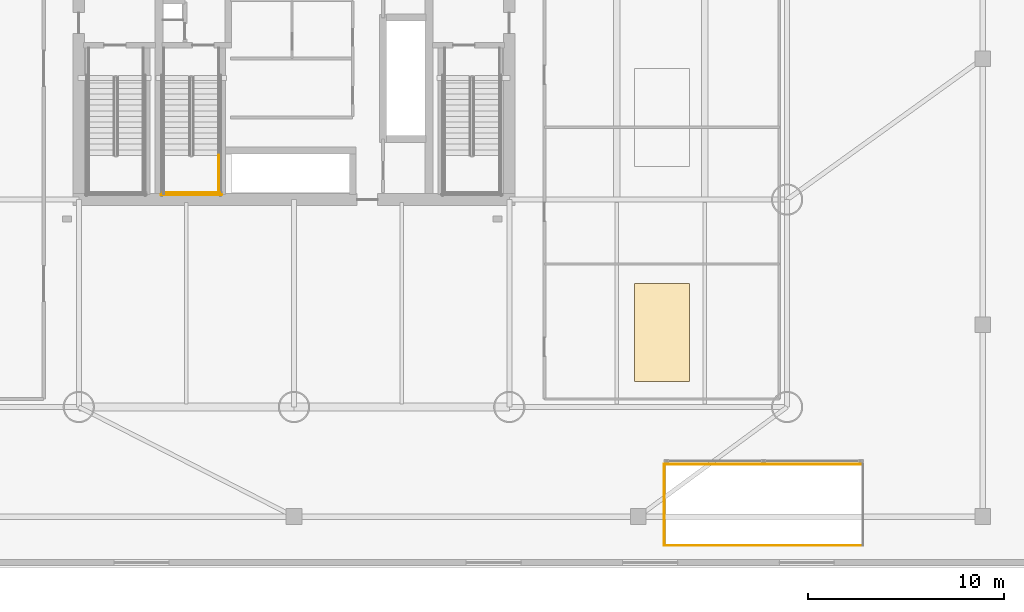
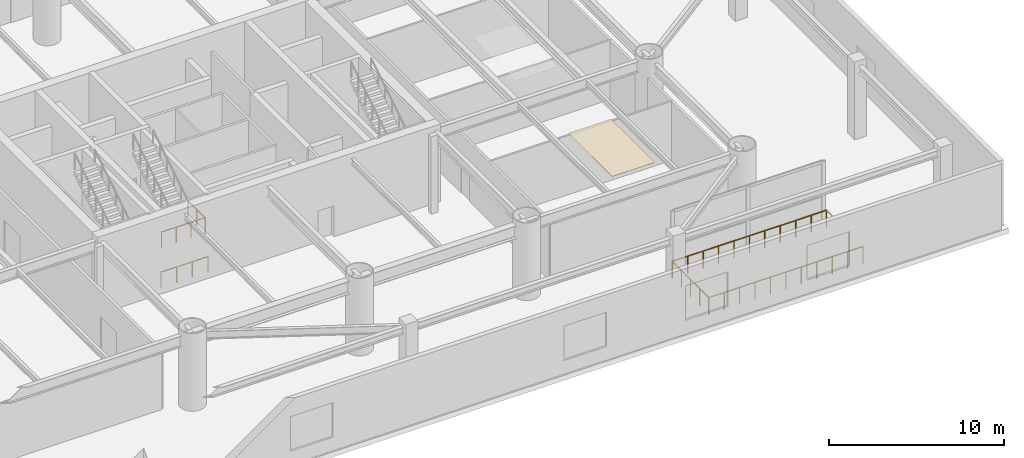
# One storey, part 12 of 16: 6 railings, 1 covering.
"""IFC4 building model written with IfcOpenShell, lengths in metres."""

from ifc_helpers import new_model, si_unit, direction, frame, origin, origin_2d, place, context, subcontext, project, spatial, polyline, circle, outline, extrude, material, layer, layer_set, type_object, element, save


model = new_model("IFC4")

# Units and contexts
model_context = context("Model", 3, precision=1e-05, world=origin(), true_north=direction((0.0, 1.0)))
body_context = subcontext(model_context, "Body", "Model", "MODEL_VIEW")
ifc_project = project(units=[si_unit("LENGTHUNIT", "METRE"), si_unit("AREAUNIT", "SQUARE_METRE"), si_unit("VOLUMEUNIT", "CUBIC_METRE"), si_unit("PLANEANGLEUNIT", "RADIAN"), si_unit("MASSUNIT", "GRAM", prefix="KILO")], contexts=[model_context])

# Site, building, storey
site_placement = place(None, origin())
site = spatial("IfcSite", under=ifc_project, at=site_placement, CompositionType="ELEMENT")
building_placement = place(site_placement, origin())
building = spatial("IfcBuilding", under=site, at=building_placement, Name="Bramvorn Convention Spire", CompositionType="ELEMENT")
storey_placement = place(building_placement, frame((0.0, 0.0, 18.60009765625)))
storey = spatial("IfcBuildingStorey", under=building, at=storey_placement, Name="L03", CompositionType="ELEMENT", Elevation=18.60009765625)

# Covering
ifc_material_1 = material(Name="Micro-Perforated Mineral-Fibre Acoustic Ceiling Tile", Category="gypsum")
ifc_layer = layer(ifc_material_1, 0.02001953125)
ifc_layer_set = layer_set([ifc_layer], Name="Micro-Perforated Mineral-Fibre Acoustic Ceiling Tile - CLG-ACOUSTIC-20")
covering_type = type_object("IfcCoveringType", Name="CLG-ACOUSTIC-20", PredefinedType="CEILING", material=ifc_layer_set)
covering_placement = place(storey_placement, frame((0.0, 0.0, 5.02978515625)))
element("IfcCovering", 1, at=covering_placement, inside=storey, type_object=covering_type, Name="L03 Seminar acoustic tile ceiling 1", PredefinedType="CEILING", context=body_context, shape_type="SweptSolid", body=[
    extrude(outline(polyline([(55.39990234375, 9.5), (58.199951171875, 9.5), (58.199951171875, 14.5), (55.39990234375, 14.5), (55.39990234375, 9.5)])), origin(), (0.0, 0.0, 1.0), 0.02001953125),
])

# Railings
ifc_material_2 = material(Name="Warm Bronze Perforated Metal & Glass Balustrade", Category="glass")
railing_type_1 = type_object("IfcRailingType", Name="RL-POD-BALUSTRADE-1200", PredefinedType="BALUSTRADE", material=ifc_material_2)
railing_1_placement = place(storey_placement, frame((56.919921875, 1.1201171875, 0.0)))
element("IfcRailing", 2, at=railing_1_placement, inside=storey, type_object=railing_type_1, Name="L03 SE void perimeter balustrade side 1", PredefinedType="BALUSTRADE", context=body_context, shape_type="SweptSolid", body=[
    extrude(circle(Radius=0.02392578125, at=origin_2d()), frame((0.0, 0.0, 1.17578125), z_axis=(1.0, 0.0, 0.0), x_axis=(0.0, 1.0, 0.0)), (0.0, 0.0, 1.0), 10.16015625),
    extrude(circle(Radius=0.02099609375, at=origin_2d()), origin(), (0.0, 0.0, 1.0), 1.15185546875),
    extrude(circle(Radius=0.02099609375, at=origin_2d()), frame((1.01611328125, 0.0, 0.0)), (0.0, 0.0, 1.0), 1.15185546875),
    extrude(circle(Radius=0.02099609375, at=origin_2d()), frame((2.031982421875, 0.0, 0.0)), (0.0, 0.0, 1.0), 1.15185546875),
    extrude(circle(Radius=0.02099609375, at=origin_2d()), frame((3.048095703125, 0.0, 0.0)), (0.0, 0.0, 1.0), 1.15185546875),
    extrude(circle(Radius=0.02099609375, at=origin_2d()), frame((4.06396484375, 0.0, 0.0)), (0.0, 0.0, 1.0), 1.15185546875),
    extrude(circle(Radius=0.02099609375, at=origin_2d()), frame((5.080078125, 0.0, 0.0)), (0.0, 0.0, 1.0), 1.15185546875),
    extrude(circle(Radius=0.02099609375, at=origin_2d()), frame((6.09619140625, 0.0, 0.0)), (0.0, 0.0, 1.0), 1.15185546875),
    extrude(circle(Radius=0.02099609375, at=origin_2d()), frame((7.112060546875, 0.0, 0.0)), (0.0, 0.0, 1.0), 1.15185546875),
    extrude(circle(Radius=0.02099609375, at=origin_2d()), frame((8.128173828125, 0.0, 0.0)), (0.0, 0.0, 1.0), 1.15185546875),
    extrude(circle(Radius=0.02099609375, at=origin_2d()), frame((9.14404296875, 0.0, 0.0)), (0.0, 0.0, 1.0), 1.15185546875),
    extrude(circle(Radius=0.02099609375, at=origin_2d()), frame((10.16015625, 0.0, 0.0)), (0.0, 0.0, 1.0), 1.15185546875),
])
railing_2_placement = place(storey_placement, frame((67.080078125, 5.280029296875, 0.0)))
element("IfcRailing", 3, at=railing_2_placement, inside=storey, type_object=railing_type_1, Name="L03 SE void perimeter balustrade side 3", PredefinedType="BALUSTRADE", context=body_context, shape_type="SweptSolid", body=[
    extrude(circle(Radius=0.02392578125, at=origin_2d()), frame((0.0, 0.0, 1.17578125), z_axis=(-1.0, 0.0, 0.0), x_axis=(0.0, -1.0, 0.0)), (0.0, 0.0, 1.0), 10.16015625),
    extrude(circle(Radius=0.02099609375, at=origin_2d()), origin(), (0.0, 0.0, 1.0), 1.15185546875),
    extrude(circle(Radius=0.02099609375, at=origin_2d()), frame((-1.01611328125, 0.0, 0.0)), (0.0, 0.0, 1.0), 1.15185546875),
    extrude(circle(Radius=0.02099609375, at=origin_2d()), frame((-2.031982421875, 0.0, 0.0)), (0.0, 0.0, 1.0), 1.15185546875),
    extrude(circle(Radius=0.02099609375, at=origin_2d()), frame((-3.048095703125, 0.0, 0.0)), (0.0, 0.0, 1.0), 1.15185546875),
    extrude(circle(Radius=0.02099609375, at=origin_2d()), frame((-4.06396484375, 0.0, 0.0)), (0.0, 0.0, 1.0), 1.15185546875),
    extrude(circle(Radius=0.02099609375, at=origin_2d()), frame((-5.080078125, 0.0, 0.0)), (0.0, 0.0, 1.0), 1.15185546875),
    extrude(circle(Radius=0.02099609375, at=origin_2d()), frame((-6.09619140625, 0.0, 0.0)), (0.0, 0.0, 1.0), 1.15185546875),
    extrude(circle(Radius=0.02099609375, at=origin_2d()), frame((-7.112060546875, 0.0, 0.0)), (0.0, 0.0, 1.0), 1.15185546875),
    extrude(circle(Radius=0.02099609375, at=origin_2d()), frame((-8.128173828125, 0.0, 0.0)), (0.0, 0.0, 1.0), 1.15185546875),
    extrude(circle(Radius=0.02099609375, at=origin_2d()), frame((-9.14404296875, 0.0, 0.0)), (0.0, 0.0, 1.0), 1.15185546875),
    extrude(circle(Radius=0.02099609375, at=origin_2d()), frame((-10.16015625, 0.0, 0.0)), (0.0, 0.0, 1.0), 1.15185546875),
])
railing_3_placement = place(storey_placement, frame((56.919921875, 5.280029296875, 0.0)))
element("IfcRailing", 4, at=railing_3_placement, inside=storey, type_object=railing_type_1, Name="L03 SE void perimeter balustrade side 4", PredefinedType="BALUSTRADE", context=body_context, shape_type="SweptSolid", body=[
    extrude(circle(Radius=0.02392578125, at=origin_2d()), frame((0.0, 0.0, 1.17578125), z_axis=(0.0, -1.0, 0.0), x_axis=(1.0, 0.0, 0.0)), (0.0, 0.0, 1.0), 4.159912109375),
    extrude(circle(Radius=0.02099609375, at=origin_2d()), origin(), (0.0, 0.0, 1.0), 1.15185546875),
    extrude(circle(Radius=0.02099609375, at=origin_2d()), frame((0.0, -1.0400390625, 0.0)), (0.0, 0.0, 1.0), 1.15185546875),
    extrude(circle(Radius=0.02099609375, at=origin_2d()), frame((0.0, -2.080078125, 0.0)), (0.0, 0.0, 1.0), 1.15185546875),
    extrude(circle(Radius=0.02099609375, at=origin_2d()), frame((0.0, -3.119873046875, 0.0)), (0.0, 0.0, 1.0), 1.15185546875),
    extrude(circle(Radius=0.02099609375, at=origin_2d()), frame((0.0, -4.159912109375, 0.0)), (0.0, 0.0, 1.0), 1.15185546875),
])
ifc_material_3 = material(Name="Painted Steel Balustrade & Guardrail", Category="steel")
railing_type_2 = type_object("IfcRailingType", Name="RL-STAIR-GUARD-1100", PredefinedType="GUARDRAIL", material=ifc_material_3)
railing_4_placement = place(storey_placement, frame((34.14990234375, 21.06005859375, 2.699951171875)))
element("IfcRailing", 5, at=railing_4_placement, inside=storey, type_object=railing_type_2, Name="L03 ST3 stair guard 4", PredefinedType="GUARDRAIL", context=body_context, shape_type="SweptSolid", body=[
    extrude(circle(Radius=0.02392578125, at=origin_2d()), frame((0.0, 0.0, 1.076171875), z_axis=(0.0, -1.0, 0.0), x_axis=(1.0, 0.0, 0.0)), (0.0, 0.0, 1.0), 1.9599609375),
    extrude(circle(Radius=0.02099609375, at=origin_2d()), origin(), (0.0, 0.0, 1.0), 1.052001953125),
    extrude(circle(Radius=0.02099609375, at=origin_2d()), frame((0.0, -0.97998046875, 0.0)), (0.0, 0.0, 1.0), 1.052001953125),
    extrude(circle(Radius=0.02099609375, at=origin_2d()), frame((0.0, -1.9599609375, 0.0)), (0.0, 0.0, 1.0), 1.052001953125),
])
railing_5_placement = place(storey_placement, frame((31.300048828125, 19.14990234375, 2.699951171875)))
element("IfcRailing", 6, at=railing_5_placement, inside=storey, type_object=railing_type_2, Name="L03 ST3 stair guard 5", PredefinedType="GUARDRAIL", context=body_context, shape_type="SweptSolid", body=[
    extrude(circle(Radius=0.02392578125, at=origin_2d()), frame((0.0, 0.0, 1.076171875), z_axis=(1.0, 0.0, 0.0), x_axis=(0.0, 1.0, 0.0)), (0.0, 0.0, 1.0), 2.89990234375),
    extrude(circle(Radius=0.02099609375, at=origin_2d()), origin(), (0.0, 0.0, 1.0), 1.052001953125),
    extrude(circle(Radius=0.02099609375, at=origin_2d()), frame((0.966552734375, 0.0, 0.0)), (0.0, 0.0, 1.0), 1.052001953125),
    extrude(circle(Radius=0.02099609375, at=origin_2d()), frame((1.933349609375, 0.0, 0.0)), (0.0, 0.0, 1.0), 1.052001953125),
    extrude(circle(Radius=0.02099609375, at=origin_2d()), frame((2.89990234375, 0.0, 0.0)), (0.0, 0.0, 1.0), 1.052001953125),
])
railing_6_placement = place(storey_placement, frame((31.199951171875, 19.050048828125, 0.0)))
element("IfcRailing", 7, at=railing_6_placement, inside=storey, type_object=railing_type_2, Name="L03 ST3 stair guard 12", PredefinedType="GUARDRAIL", context=body_context, shape_type="SweptSolid", body=[
    extrude(circle(Radius=0.02392578125, at=origin_2d()), frame((0.0, 0.0, 1.076171875), z_axis=(1.0, 0.0, 0.0), x_axis=(0.0, 1.0, 0.0)), (0.0, 0.0, 1.0), 3.10009765625),
    extrude(circle(Radius=0.02099609375, at=origin_2d()), origin(), (0.0, 0.0, 1.0), 1.052001953125),
    extrude(circle(Radius=0.02099609375, at=origin_2d()), frame((1.033447265625, 0.0, 0.0)), (0.0, 0.0, 1.0), 1.052001953125),
    extrude(circle(Radius=0.02099609375, at=origin_2d()), frame((2.066650390625, 0.0, 0.0)), (0.0, 0.0, 1.0), 1.052001953125),
    extrude(circle(Radius=0.02099609375, at=origin_2d()), frame((3.10009765625, 0.0, 0.0)), (0.0, 0.0, 1.0), 1.052001953125),
])

save(model, "model.ifc")
